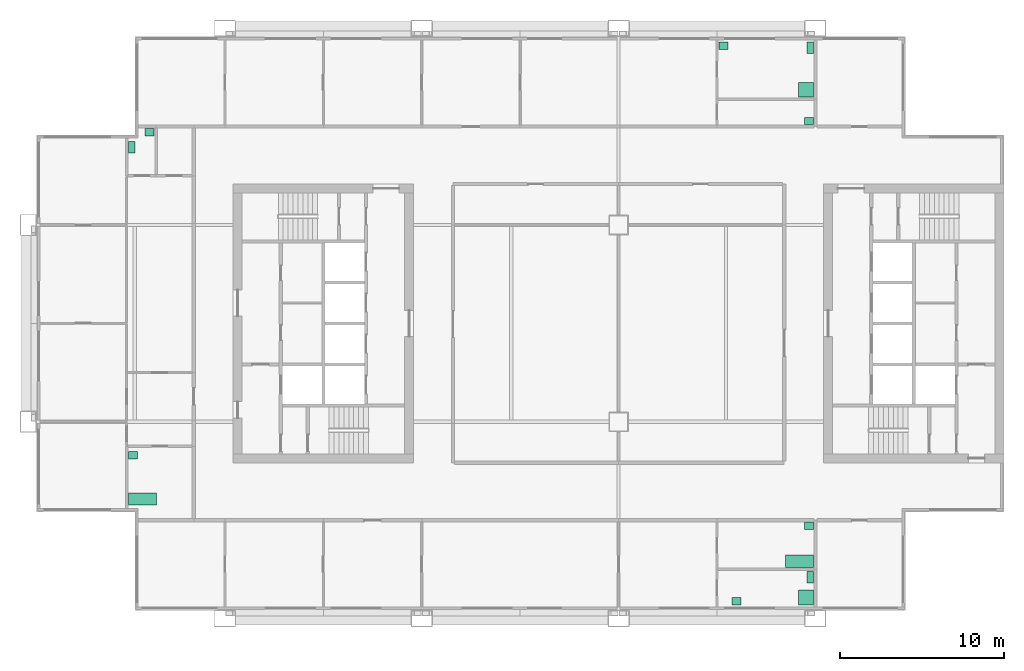
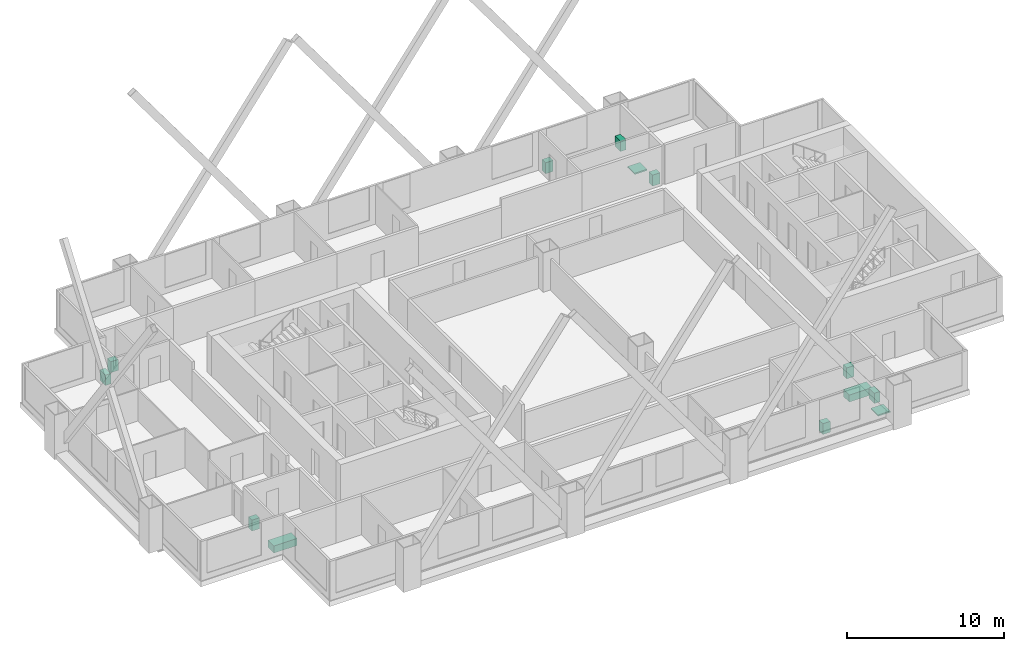
# One storey, part 8 of 8: 13 sanitary terminals.
"""IFC4 building model written with IfcOpenShell, lengths in metres."""

from ifc_helpers import new_model, si_unit, direction, frame, origin, origin_2d, place, context, subcontext, project, spatial, rectangle, extrude, material, type_object, element, save


model = new_model("IFC4")

# Units and contexts
model_context = context("Model", 3, precision=1e-05, world=origin(), true_north=direction((0.0, 1.0)))
body_context = subcontext(model_context, "Body", "Model", "MODEL_VIEW")
ifc_project = project(units=[si_unit("LENGTHUNIT", "METRE"), si_unit("AREAUNIT", "SQUARE_METRE"), si_unit("VOLUMEUNIT", "CUBIC_METRE"), si_unit("PLANEANGLEUNIT", "RADIAN"), si_unit("MASSUNIT", "GRAM", prefix="KILO")], contexts=[model_context])

# Site, building, storey
site_placement = place(None, origin())
site = spatial("IfcSite", under=ifc_project, at=site_placement, CompositionType="ELEMENT")
building_placement = place(site_placement, origin())
building = spatial("IfcBuilding", under=site, at=building_placement, Name="Kitamizu Gate Tower and Museum", CompositionType="ELEMENT")
storey_placement = place(building_placement, frame((0.0, 0.0, 175.5)))
storey = spatial("IfcBuildingStorey", under=building, at=storey_placement, Name="L46", CompositionType="ELEMENT", Elevation=175.5)

# Sanitary terminals
ifc_material_1 = material(Name="Acrylic")
sanitary_terminal_type_1 = type_object("IfcSanitaryTerminalType", Name="Bath", PredefinedType="BATH", material=ifc_material_1)
for number, where, z_axis, x_axis, name in (
    (1, (47.030029296875, 15.4951171875, 0.0009765625), (0.0, 0.0, 1.0), (1.0, 0.0, 0.0), "Bath Bathroom 46A"),
    (2, (6.969970703125, 19.294921875, 0.0009765625), (0.0, 0.0, 1.0), (1.0, 0.0, 0.0), "Bath Bathroom 46E"),
):
    element("IfcSanitaryTerminal", number, at=place(storey_placement, frame(where, z_axis=z_axis, x_axis=x_axis)), inside=storey, type_object=sanitary_terminal_type_1, Name=name, PredefinedType="BATH", context=body_context, shape_type="SweptSolid", body=[
        extrude(rectangle(XDim=1.699951171875, YDim=0.75, at=origin_2d()), origin(), (0.0, 0.0, 1.0), 0.550048828125),
    ])
ifc_material_2 = material(Name="Acrylic")
sanitary_terminal_type_2 = type_object("IfcSanitaryTerminalType", Name="Shower tray", PredefinedType="SHOWER", material=ifc_material_2)
for number, where, z_axis, x_axis, name in (
    (3, (47.429931640625, 13.2900390625, 0.0009765625), (0.0, 0.0, 1.0), (1.0, 0.0, 0.0), "Shower tray En-suite bathroom and WC 46A"),
    (4, (47.429931640625, 44.25, 0.0009765625), (0.0, 0.0, 1.0), (1.0, 0.0, 0.0), "Shower tray En-suite bathroom and WC 46C"),
):
    element("IfcSanitaryTerminal", number, at=place(storey_placement, frame(where, z_axis=z_axis, x_axis=x_axis)), inside=storey, type_object=sanitary_terminal_type_2, Name=name, PredefinedType="SHOWER", context=body_context, shape_type="SweptSolid", body=[
        extrude(rectangle(XDim=0.89990234375, YDim=0.89990234375, at=origin_2d()), origin(), (0.0, 0.0, 1.0), 0.10009765625),
    ])
ifc_material_3 = material(Name="Vitreous china")
sanitary_terminal_type_3 = type_object("IfcSanitaryTerminalType", Name="Wash hand basin", PredefinedType="WASHHANDBASIN", material=ifc_material_3)
for number, where, z_axis, x_axis, name in (
    (5, (43.195068359375, 13.06494140625, 0.0009765625), (0.0, 0.0, 1.0), (1.0, 0.0, 0.0), "Wash hand basin En-suite bathroom and WC 46A"),
    (6, (47.60498046875, 17.655029296875, 0.0009765625), (0.0, 0.0, 1.0), (1.0, 0.0, 0.0), "Wash hand basin Bathroom 46A"),
    (7, (42.39501953125, 46.93505859375, 0.0009765625), (0.0, 0.0, 1.0), (1.0, 0.0, 0.0), "Wash hand basin En-suite bathroom and WC 46C"),
    (8, (47.60498046875, 42.344970703125, 0.0009765625), (0.0, 0.0, 1.0), (1.0, 0.0, 0.0), "Wash hand basin Wash room 46C"),
    (9, (6.39501953125, 21.955078125, 0.0009765625), (0.0, 0.0, 1.0), (1.0, 0.0, 0.0), "Wash hand basin Bathroom 46E"),
    (10, (7.405029296875, 41.655029296875, 0.0009765625), (0.0, 0.0, 1.0), (1.0, 0.0, 0.0), "Wash hand basin WC 46E"),
):
    element("IfcSanitaryTerminal", number, at=place(storey_placement, frame(where, z_axis=z_axis, x_axis=x_axis)), inside=storey, type_object=sanitary_terminal_type_3, Name=name, PredefinedType="WASHHANDBASIN", context=body_context, shape_type="SweptSolid", body=[
        extrude(rectangle(XDim=0.550048828125, YDim=0.449951171875, at=origin_2d()), origin(), (0.0, 0.0, 1.0), 0.85009765625),
    ])
ifc_material_4 = material(Name="Vitreous china")
sanitary_terminal_type_4 = type_object("IfcSanitaryTerminalType", Name="Water closet", PredefinedType="TOILETPAN", material=ifc_material_4)
for number, where, z_axis, x_axis, name in (
    (11, (47.679931640625, 14.530029296875, 0.0009765625), (0.0, 0.0, 1.0), (1.0, 0.0, 0.0), "Water closet En-suite bathroom and WC 46A"),
    (12, (47.679931640625, 46.81005859375, 0.0009765625), (0.0, 0.0, 1.0), (1.0, 0.0, 0.0), "Water closet En-suite bathroom and WC 46C"),
    (13, (6.320068359375, 40.72998046875, 0.0009765625), (0.0, 0.0, 1.0), (1.0, 0.0, 0.0), "Water closet WC 46E"),
):
    element("IfcSanitaryTerminal", number, at=place(storey_placement, frame(where, z_axis=z_axis, x_axis=x_axis)), inside=storey, type_object=sanitary_terminal_type_4, Name=name, PredefinedType="TOILETPAN", context=body_context, shape_type="SweptSolid", body=[
        extrude(rectangle(XDim=0.39990234375, YDim=0.699951171875, at=origin_2d()), origin(), (0.0, 0.0, 1.0), 0.800048828125),
    ])

save(model, "model.ifc")
